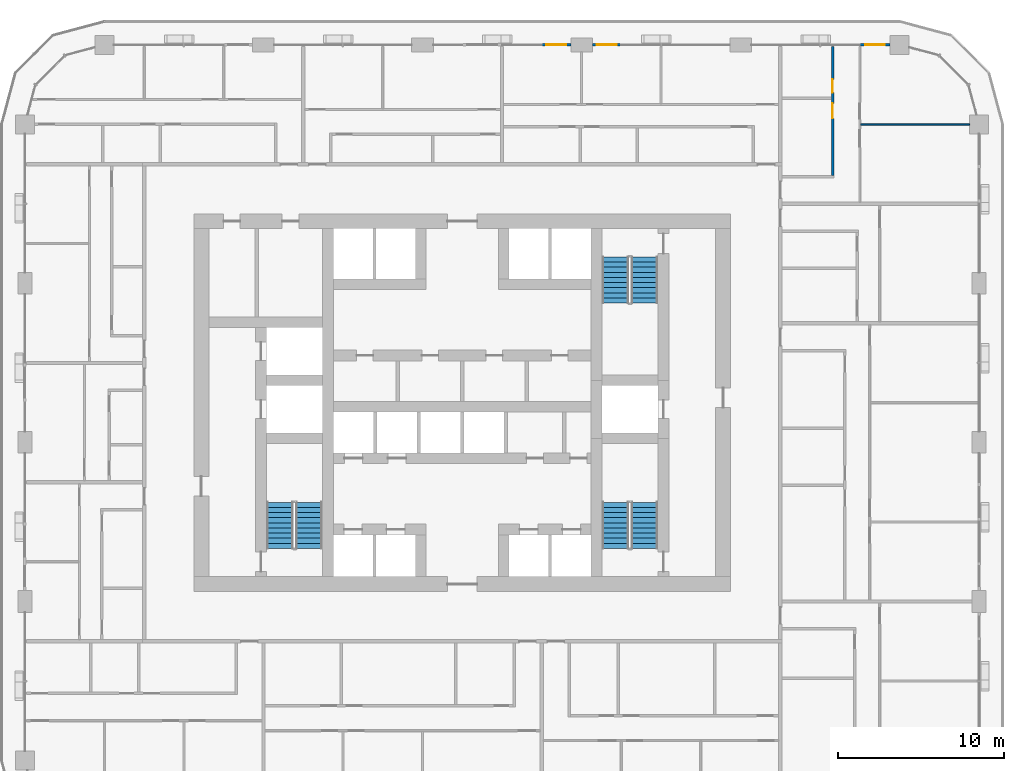
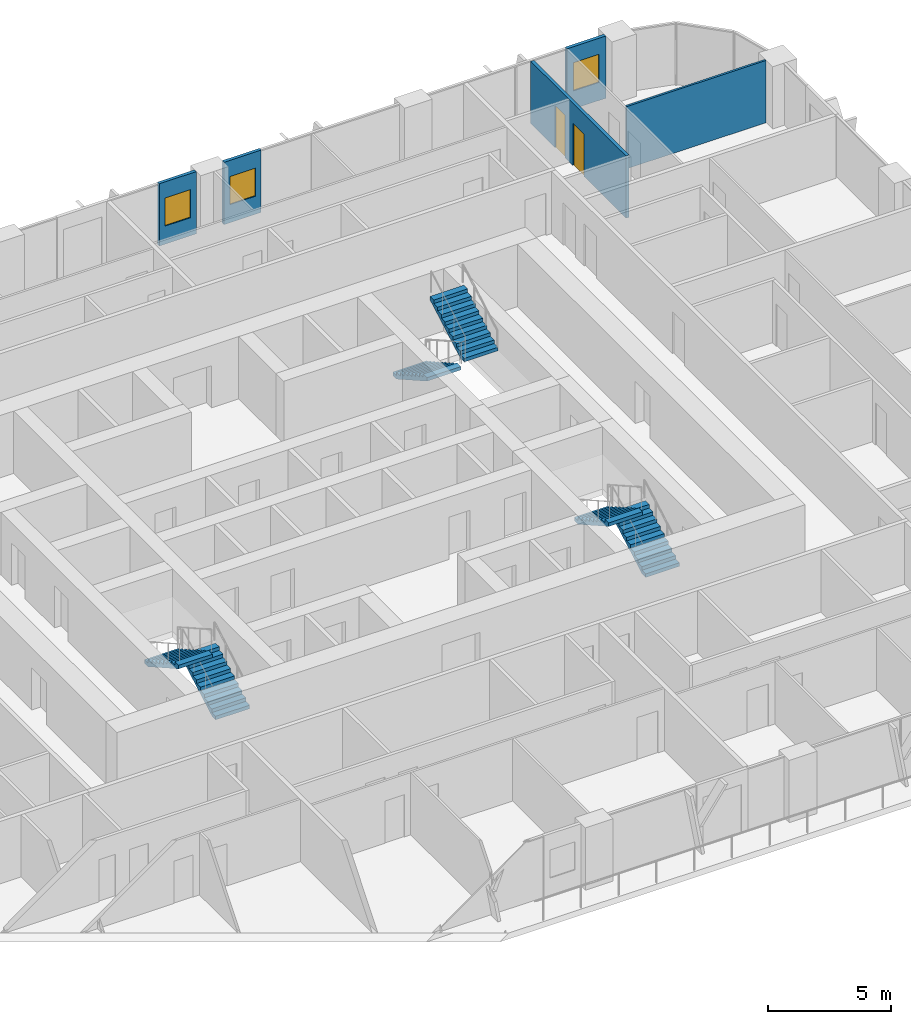
# One storey, part 15 of 21: 6 stair flights, 5 walls, 3 windows, 2 doors, 5 openings, 3 elements without a shape of their own.
"""IFC4 building model written with IfcOpenShell, lengths in metres."""

import ifcopenshell
import ifcopenshell.guid

model = None  # the IFC model being written
_history = None  # IfcOwnerHistory: only IFC2X3 demands one
_inside = {}  # id of a spatial element -> (the spatial element, [elements in it])
_under = {}  # id of a project, library or spatial element -> (it, [spatial elements below it])
_declared = {}  # id of a project -> (the project, [libraries it declares])
_typed = {}  # id of a type object -> (the type object, [elements of that type])
_made_of = {}  # id of a material, layer set ... -> (it, [elements and type objects made of it])


def new_model(schema):
    """Start an empty IFC model of exactly this schema.

    Asked for "IFC4X3", IfcOpenShell would pick the latest addendum, in which some entities
    have other attributes; the version numbers below select the first issue.
    IFC2X3 requires an IfcOwnerHistory on every rooted entity: one is made here for all.
    """
    global model, _history
    if schema == "IFC4X3":
        model = ifcopenshell.file(schema_version=(4, 3, 0, 0))
    else:
        model = ifcopenshell.file(schema=schema)
    _inside.clear()
    _under.clear()
    _declared.clear()
    _typed.clear()
    _made_of.clear()
    _history = None
    if model.schema == "IFC2X3":
        org = make("IfcOrganization", Name="unknown")
        user = make(
            "IfcPersonAndOrganization",
            ThePerson=make("IfcPerson", FamilyName="unknown"),
            TheOrganization=org,
        )
        app = make(
            "IfcApplication",
            ApplicationDeveloper=org,
            Version="unknown",
            ApplicationFullName="unknown",
            ApplicationIdentifier="unknown",
        )
        _history = make(
            "IfcOwnerHistory",
            OwningUser=user,
            OwningApplication=app,
            ChangeAction="ADDED",
            CreationDate=0,
        )
    return model


def make(cls, **values):
    """One entity of the class cls with the attributes given. An attribute that is None is left unset."""
    return model.create_entity(
        cls, **{name: value for name, value in values.items() if value is not None}
    )


def rooted(cls, **values):
    """An entity with a GlobalId (a new one), such as an element, a storey or a relation."""
    return make(cls, GlobalId=ifcopenshell.guid.new(), OwnerHistory=_history, **values)


def si_unit(unit_type, name, prefix=None):
    """IfcSIUnit, for example si_unit("LENGTHUNIT", "METRE", prefix="MILLI")."""
    return make("IfcSIUnit", UnitType=unit_type, Prefix=prefix, Name=name)


def assignment(units):
    """IfcUnitAssignment: the units of a project."""
    return None if units is None else make("IfcUnitAssignment", Units=units)


def point(xyz):
    """IfcCartesianPoint."""
    return None if xyz is None else make("IfcCartesianPoint", Coordinates=xyz)


def direction(xyz):
    """IfcDirection."""
    return None if xyz is None else make("IfcDirection", DirectionRatios=xyz)


def frame(location, z_axis=None, x_axis=None):
    """IfcAxis2Placement3D, a coordinate frame: its origin and axes. An axis left out is left unset."""
    return make(
        "IfcAxis2Placement3D",
        Location=point(location),
        Axis=direction(z_axis),
        RefDirection=direction(x_axis),
    )


def frame_2d(location, x_axis=None):
    """IfcAxis2Placement2D, a coordinate frame in the plane: its origin and x axis."""
    return make(
        "IfcAxis2Placement2D", Location=point(location), RefDirection=direction(x_axis)
    )


def origin():
    """The frame at (0, 0, 0) with its axes left unset."""
    return frame((0.0, 0.0, 0.0))


def place(relative_to, where):
    """IfcLocalPlacement: puts the frame where relative to a parent placement (None: the world)."""
    return make(
        "IfcLocalPlacement", PlacementRelTo=relative_to, RelativePlacement=where
    )


def context(
    kind, dimensions, precision=None, world=None, true_north=None, identifier=None
):
    """IfcGeometricRepresentationContext, for example the 3D "Model" context."""
    return make(
        "IfcGeometricRepresentationContext",
        ContextIdentifier=identifier,
        ContextType=kind,
        CoordinateSpaceDimension=dimensions,
        Precision=precision,
        WorldCoordinateSystem=world,
        TrueNorth=true_north,
    )


def subcontext(parent, identifier, kind, view, scale=None):
    """IfcGeometricRepresentationSubContext, for example "Body" below "Model"."""
    return make(
        "IfcGeometricRepresentationSubContext",
        ContextIdentifier=identifier,
        ContextType=kind,
        ParentContext=parent,
        TargetScale=scale,
        TargetView=view,
    )


def project(units=None, contexts=None):
    """IfcProject with its units and contexts."""
    return rooted(
        "IfcProject",
        Name="project",
        RepresentationContexts=contexts,
        UnitsInContext=assignment(units),
    )


def spatial(cls, under=None, at=None, **own):
    """A site, building, storey or space (cls), placed at a placement, below another one or the project."""
    s = rooted(cls, ObjectPlacement=at, **own)
    if under is not None:
        _under.setdefault(under.id(), (under, []))[1].append(s)
    return s


def polyline(points):
    """IfcPolyline through the points."""
    return make("IfcPolyline", Points=[point(p) for p in points])


def profile(cls, at=None, kind="AREA", **sizes):
    """A parametric profile (cls). Its sizes go by their IFC names, for example OverallWidth=200.0."""
    return make(cls, ProfileType=kind, Position=at, **sizes)


def rectangle(**sizes):
    """IfcRectangleProfileDef."""
    return profile("IfcRectangleProfileDef", **sizes)


def outline(outer, holes=None, kind="AREA"):
    """IfcArbitraryClosedProfileDef: a profile drawn as a closed curve; with holes, ...WithVoids."""
    if holes is None:
        return make("IfcArbitraryClosedProfileDef", ProfileType=kind, OuterCurve=outer)
    return make(
        "IfcArbitraryProfileDefWithVoids",
        ProfileType=kind,
        OuterCurve=outer,
        InnerCurves=holes,
    )


def extrude(swept, where, along, depth):
    """IfcExtrudedAreaSolid: the profile swept, set in the frame where, extruded along a direction by depth."""
    return make(
        "IfcExtrudedAreaSolid",
        SweptArea=swept,
        Position=where,
        ExtrudedDirection=direction(along),
        Depth=depth,
    )


def shape(context_of_items, identifier, shape_type, items):
    """IfcShapeRepresentation: the items that make up one representation, for example the "Body"."""
    return make(
        "IfcShapeRepresentation",
        ContextOfItems=context_of_items,
        RepresentationIdentifier=identifier,
        RepresentationType=shape_type,
        Items=items,
    )


def material(Name=None, Category=None):
    """IfcMaterial."""
    return make("IfcMaterial", Name=Name, Category=Category)


def layer(
    of_material, thickness, ventilated=None, Name=None, Category=None, Priority=None
):
    """IfcMaterialLayer: one layer of a wall or slab, of a material (None: an air gap)."""
    return make(
        "IfcMaterialLayer",
        Material=of_material,
        LayerThickness=thickness,
        IsVentilated=ventilated,
        Name=Name,
        Category=Category,
        Priority=Priority,
    )


def layer_set(layers, Name=None):
    """IfcMaterialLayerSet."""
    return make("IfcMaterialLayerSet", MaterialLayers=layers, LayerSetName=Name)


def made_of(thing, what):
    """Note that an element or type object is made of a material, layer set ...; save() writes the relation."""
    if what is not None:
        _made_of.setdefault(what.id(), (what, []))[1].append(thing)
    return thing


def type_object(cls, material=None, **own):
    """A type object (cls), such as IfcWallType, which elements share."""
    return made_of(rooted(cls, **own), material)


def element(
    cls,
    number,
    at=None,
    inside=None,
    cuts=None,
    type_object=None,
    material=None,
    context=None,
    identifier="Body",
    shape_type=None,
    held_by="IfcProductDefinitionShape",
    body=None,
    shapes=None,
    **own,
):
    """One element of the class cls, such as IfcWall. Its Tag is "e" and its number.

    at: its placement. inside: the storey or other place that contains it. cuts: it is an
    opening in that element (IfcRelVoidsElement). A single representation is given by context,
    identifier, shape_type and body (its items); several are given by shapes. held_by: the class
    of the entity that holds the representations. save() writes the other relations.
    """
    e = rooted(cls, Tag="e%d" % number, ObjectPlacement=at, **own)
    if body is not None:
        shapes = [shape(context, identifier, shape_type, body)]
    if shapes is not None:
        e.Representation = make(held_by, Representations=shapes)
    if inside is not None:
        _inside.setdefault(inside.id(), (inside, []))[1].append(e)
    if cuts is not None:
        rooted(
            "IfcRelVoidsElement", RelatingBuildingElement=cuts, RelatedOpeningElement=e
        )
    if type_object is not None:
        _typed.setdefault(type_object.id(), (type_object, []))[1].append(e)
    return made_of(e, material)


def fill(opening, filler):
    """IfcRelFillsElement: the door or window that sits in an opening."""
    return rooted(
        "IfcRelFillsElement",
        RelatingOpeningElement=opening,
        RelatedBuildingElement=filler,
    )


def aggregate(whole, parts):
    """IfcRelAggregates: a whole, such as a stair, and the parts it consists of."""
    return rooted("IfcRelAggregates", RelatingObject=whole, RelatedObjects=parts)


def save(model, path):
    """Write the relations noted so far, then the file.

    IfcRelAggregates (storeys below a building ...), IfcRelContainedInSpatialStructure (elements
    in a storey), IfcRelDefinesByType, IfcRelAssociatesMaterial and IfcRelDeclares: one each for
    every whole, place, type object, material and project.
    """
    for whole, parts in _under.values():
        aggregate(whole, parts)
    for where, things in _inside.values():
        rooted(
            "IfcRelContainedInSpatialStructure",
            RelatedElements=things,
            RelatingStructure=where,
        )
    for kind, things in _typed.values():
        rooted("IfcRelDefinesByType", RelatedObjects=things, RelatingType=kind)
    for what, things in _made_of.values():
        rooted("IfcRelAssociatesMaterial", RelatedObjects=things, RelatingMaterial=what)
    for by, libraries in _declared.values():
        rooted("IfcRelDeclares", RelatingContext=by, RelatedDefinitions=libraries)
    model.write(path)


model = new_model("IFC4")

# Units and contexts
model_context = context("Model", 3, precision=1e-05, world=origin(), true_north=direction((0.0, 1.0)))
body_context = subcontext(model_context, "Body", "Model", "MODEL_VIEW")
ifc_project = project(units=[si_unit("LENGTHUNIT", "METRE"), si_unit("AREAUNIT", "SQUARE_METRE"), si_unit("VOLUMEUNIT", "CUBIC_METRE"), si_unit("PLANEANGLEUNIT", "RADIAN"), si_unit("MASSUNIT", "GRAM", prefix="KILO")], contexts=[model_context])

# Site, building, storey
site_placement = place(None, origin())
site = spatial("IfcSite", under=ifc_project, at=site_placement, CompositionType="ELEMENT")
building_placement = place(site_placement, origin())
building = spatial("IfcBuilding", under=site, at=building_placement, Name="Madar Terraces", CompositionType="ELEMENT")
storey_placement = place(building_placement, frame((0.0, 0.0, 80.300048828125)))
storey = spatial("IfcBuildingStorey", under=building, at=storey_placement, Name="L20", CompositionType="ELEMENT", Elevation=80.300048828125)

# Wall, opening, window
ifc_material_1 = material(Name="Aluminium composite panel, black, over insulated backing", Category="aluminium")
ifc_layer_1 = layer(ifc_material_1, 0.14990234375)
ifc_layer_set_1 = layer_set([ifc_layer_1], Name="Facade bay panel 150")
wall_type_1 = type_object("IfcWallType", Name="Facade bay panel 150", PredefinedType="SOLIDWALL", material=ifc_layer_set_1)
wall_1_placement = place(storey_placement, frame((57.02490234375, 48.0, 0.0), z_axis=(0.0, 0.0, 1.0), x_axis=(-1.0, 0.0, 0.0)))
wall_1 = element("IfcWall", 1, at=wall_1_placement, inside=storey, type_object=wall_type_1, Name="Facade bay panel", PredefinedType="SOLIDWALL", context=body_context, shape_type="SweptSolid", body=[
    extrude(rectangle(XDim=1.824951171875, YDim=0.14990234375, at=frame_2d((0.91259765625, 0.0))), origin(), (0.0, 0.0, 1.0), 3.099853515625),
])
opening_1_placement = place(wall_1_placement, frame((0.3125, 0.0, 0.89990234375)))
opening_1 = element("IfcOpeningElement", 2, at=opening_1_placement, cuts=wall_1, Name="Opening W1", PredefinedType="OPENING", context=body_context, shape_type="SweptSolid", body=[
    extrude(rectangle(XDim=1.199951171875, YDim=1.39990234375, at=frame_2d((0.60009765625, 0.699951171875))), frame((0.0, 0.0849609375, 0.0), z_axis=(0.0, -1.0, 0.0), x_axis=(1.0, 0.0, 0.0)), (0.0, 0.0, 1.0), 0.169921875),
])
ifc_material_2 = material(Name="Glass, clear, with black aluminium frame", Category="aluminium")
window_type = type_object("IfcWindowType", Name="Vent window 1200 x 1400", PartitioningType="SINGLE_PANEL", PredefinedType="WINDOW", material=ifc_material_2)
window_1_placement = place(opening_1_placement, origin())
window_1 = element("IfcWindow", 3, at=window_1_placement, inside=storey, type_object=window_type, Name="Operable vent window", OverallHeight=1.39990234375, OverallWidth=1.199951171875, PartitioningType="SINGLE_PANEL", PredefinedType="WINDOW", context=body_context, shape_type="SweptSolid", body=[
    extrude(rectangle(XDim=1.199951171875, YDim=1.39990234375, at=frame_2d((0.60009765625, 0.699951171875))), frame((0.0, 0.030029296875, 0.0), z_axis=(0.0, -1.0, 0.0), x_axis=(1.0, 0.0, 0.0)), (0.0, 0.0, 1.0), 0.06005859375),
])
fill(opening_1, window_1)

wall_2_placement = place(storey_placement, frame((40.800048828125, 48.0, 0.0), z_axis=(0.0, 0.0, 1.0), x_axis=(-1.0, 0.0, 0.0)))
wall_2 = element("IfcWall", 4, at=wall_2_placement, inside=storey, type_object=wall_type_1, Name="Facade bay panel", PredefinedType="SOLIDWALL", context=body_context, shape_type="SweptSolid", body=[
    extrude(rectangle(XDim=1.75, YDim=0.14990234375, at=frame_2d((0.875, 0.0))), origin(), (0.0, 0.0, 1.0), 3.099853515625),
])
opening_2_placement = place(wall_2_placement, frame((0.27490234375, 0.0, 0.89990234375)))
opening_2 = element("IfcOpeningElement", 5, at=opening_2_placement, cuts=wall_2, Name="Opening W1", PredefinedType="OPENING", context=body_context, shape_type="SweptSolid", body=[
    extrude(rectangle(XDim=1.199951171875, YDim=1.39990234375, at=frame_2d((0.60009765625, 0.699951171875))), frame((0.0, 0.0849609375, 0.0), z_axis=(0.0, -1.0, 0.0), x_axis=(1.0, 0.0, 0.0)), (0.0, 0.0, 1.0), 0.169921875),
])
window_2_placement = place(opening_2_placement, origin())
window_2 = element("IfcWindow", 6, at=window_2_placement, inside=storey, type_object=window_type, Name="Operable vent window", OverallHeight=1.39990234375, OverallWidth=1.199951171875, PartitioningType="SINGLE_PANEL", PredefinedType="WINDOW", context=body_context, shape_type="SweptSolid", body=[
    extrude(rectangle(XDim=1.199951171875, YDim=1.39990234375, at=frame_2d((0.60009765625, 0.699951171875))), frame((0.0, 0.030029296875, 0.0), z_axis=(0.0, -1.0, 0.0), x_axis=(1.0, 0.0, 0.0)), (0.0, 0.0, 1.0), 0.06005859375),
])
fill(opening_2, window_2)

wall_3_placement = place(storey_placement, frame((37.75, 48.0, 0.0), z_axis=(0.0, 0.0, 1.0), x_axis=(-1.0, 0.0, 0.0)))
wall_3 = element("IfcWall", 7, at=wall_3_placement, inside=storey, type_object=wall_type_1, Name="Facade bay panel", PredefinedType="SOLIDWALL", context=body_context, shape_type="SweptSolid", body=[
    extrude(rectangle(XDim=1.75, YDim=0.14990234375, at=frame_2d((0.875, 0.0))), origin(), (0.0, 0.0, 1.0), 3.099853515625),
])
opening_3_placement = place(wall_3_placement, frame((0.27490234375, 0.0, 0.89990234375)))
opening_3 = element("IfcOpeningElement", 8, at=opening_3_placement, cuts=wall_3, Name="Opening W1", PredefinedType="OPENING", context=body_context, shape_type="SweptSolid", body=[
    extrude(rectangle(XDim=1.199951171875, YDim=1.39990234375, at=frame_2d((0.60009765625, 0.699951171875))), frame((0.0, 0.0849609375, 0.0), z_axis=(0.0, -1.0, 0.0), x_axis=(1.0, 0.0, 0.0)), (0.0, 0.0, 1.0), 0.169921875),
])
window_3_placement = place(opening_3_placement, origin())
window_3 = element("IfcWindow", 9, at=window_3_placement, inside=storey, type_object=window_type, Name="Operable vent window", OverallHeight=1.39990234375, OverallWidth=1.199951171875, PartitioningType="SINGLE_PANEL", PredefinedType="WINDOW", context=body_context, shape_type="SweptSolid", body=[
    extrude(rectangle(XDim=1.199951171875, YDim=1.39990234375, at=frame_2d((0.60009765625, 0.699951171875))), frame((0.0, 0.030029296875, 0.0), z_axis=(0.0, -1.0, 0.0), x_axis=(1.0, 0.0, 0.0)), (0.0, 0.0, 1.0), 0.06005859375),
])
fill(opening_3, window_3)

# Wall
ifc_material_3 = material(Name="Gypsum board on steel studs", Category="steel")
ifc_layer_2 = layer(ifc_material_3, 0.10009765625)
ifc_layer_set_2 = layer_set([ifc_layer_2], Name="Flat partition 100")
wall_type_2 = type_object("IfcWallType", Name="Flat partition 100", PredefinedType="PARTITIONING", material=ifc_layer_set_2)
wall_4_placement = place(storey_placement, frame((55.25, 43.199951171875, 0.0), z_axis=(0.0, 0.0, 1.0), x_axis=(1.0, 0.0, 0.0)))
element("IfcWall", 10, at=wall_4_placement, inside=storey, type_object=wall_type_2, Name="Flat partition 100", PredefinedType="PARTITIONING", context=body_context, shape_type="SweptSolid", body=[
    extrude(rectangle(XDim=6.574951171875, YDim=0.10009765625, at=frame_2d((3.28759765625, 0.0))), origin(), (0.0, 0.0, 1.0), 3.099853515625),
])

# Wall, openings, doors
ifc_material_4 = material(Name="Lightweight blockwork", Category="masonry")
ifc_layer_3 = layer(ifc_material_4, 0.14990234375)
ifc_layer_set_3 = layer_set([ifc_layer_3], Name="Flat wet-room partition 150")
wall_type_3 = type_object("IfcWallType", Name="Flat wet-room partition 150", PredefinedType="PARTITIONING", material=ifc_layer_set_3)
wall_5_placement = place(storey_placement, frame((53.550048828125, 40.125, 0.0), z_axis=(0.0, 0.0, 1.0), x_axis=(0.0, 1.0, 0.0)))
wall_5 = element("IfcWall", 11, at=wall_5_placement, inside=storey, type_object=wall_type_3, Name="Flat wet-room partition 150", PredefinedType="PARTITIONING", context=body_context, shape_type="SweptSolid", body=[
    extrude(rectangle(XDim=7.77490234375, YDim=0.14990234375, at=frame_2d((3.887451171875, 0.0))), origin(), (0.0, 0.0, 1.0), 3.099853515625),
])
opening_4_placement = place(wall_5_placement, frame((3.43994140625, 0.0, 0.0)))
opening_4 = element("IfcOpeningElement", 12, at=opening_4_placement, cuts=wall_5, Name="Opening D2", PredefinedType="OPENING", context=body_context, shape_type="SweptSolid", body=[
    extrude(rectangle(XDim=0.89990234375, YDim=2.10009765625, at=frame_2d((0.449951171875, 1.050048828125))), frame((0.0, 0.0849609375, 0.0), z_axis=(0.0, -1.0, 0.0), x_axis=(1.0, 0.0, 0.0)), (0.0, 0.0, 1.0), 0.169921875),
])
opening_5_placement = place(wall_5_placement, frame((4.989990234375, 0.0, 0.0)))
opening_5 = element("IfcOpeningElement", 13, at=opening_5_placement, cuts=wall_5, Name="Opening D4", PredefinedType="OPENING", context=body_context, shape_type="SweptSolid", body=[
    extrude(rectangle(XDim=0.800048828125, YDim=2.10009765625, at=frame_2d((0.39990234375, 1.050048828125))), frame((0.0, 0.0849609375, 0.0), z_axis=(0.0, -1.0, 0.0), x_axis=(1.0, 0.0, 0.0)), (0.0, 0.0, 1.0), 0.169921875),
])
ifc_material_5 = material(Name="Timber door leaf", Category="wood")
door_type_1 = type_object("IfcDoorType", Name="Flat bathroom door 800", OperationType="NOTDEFINED", PredefinedType="DOOR", material=ifc_material_5)
door_1_placement = place(opening_5_placement, origin())
door_1 = element("IfcDoor", 14, at=door_1_placement, inside=storey, type_object=door_type_1, Name="Flat bathroom door 800", OperationType="SINGLE_SWING_LEFT", OverallHeight=2.10009765625, OverallWidth=0.800048828125, PredefinedType="DOOR", context=body_context, shape_type="SweptSolid", body=[
    extrude(rectangle(XDim=0.800048828125, YDim=2.10009765625, at=frame_2d((0.39990234375, 1.050048828125))), frame((0.0, 0.02490234375, 0.0), z_axis=(0.0, -1.0, 0.0), x_axis=(1.0, 0.0, 0.0)), (0.0, 0.0, 1.0), 0.050048828125),
])
fill(opening_5, door_1)
ifc_material_6 = material(Name="Timber door leaf", Category="wood")
door_type_2 = type_object("IfcDoorType", Name="Flat room door 900", OperationType="NOTDEFINED", PredefinedType="DOOR", material=ifc_material_6)
door_2_placement = place(opening_4_placement, origin())
door_2 = element("IfcDoor", 15, at=door_2_placement, inside=storey, type_object=door_type_2, Name="Flat room door 900", OperationType="SINGLE_SWING_RIGHT", OverallHeight=2.10009765625, OverallWidth=0.89990234375, PredefinedType="DOOR", context=body_context, shape_type="SweptSolid", body=[
    extrude(rectangle(XDim=0.89990234375, YDim=2.10009765625, at=frame_2d((0.449951171875, 1.050048828125))), frame((0.0, 0.02490234375, 0.0), z_axis=(0.0, -1.0, 0.0), x_axis=(1.0, 0.0, 0.0)), (0.0, 0.0, 1.0), 0.050048828125),
])
fill(opening_4, door_2)

# Stair, stair flights
ifc_material_7 = material(Name="Concrete C50/60", Category="concrete")
stair_type_1 = type_object("IfcStairType", Name="Stair ST1 protected exit", PredefinedType="HALF_TURN_STAIR", material=ifc_material_7)
stair_1_placement = place(storey_placement, origin())
stair_1 = element("IfcStair", 16, at=stair_1_placement, inside=storey, type_object=stair_type_1, Name="L20 Protected Exit Stair ST1", PredefinedType="HALF_TURN_STAIR")
ifc_material_8 = material(Name="Concrete C50/60", Category="concrete")
stair_flight_type_1 = type_object("IfcStairFlightType", Name="Stair flight ST1-F4, 1600 wide, 10 risers", PredefinedType="STRAIGHT", material=ifc_material_8)
stair_flight_1_placement = place(storey_placement, frame((21.949951171875, 17.60009765625, 0.0), z_axis=(0.0, 0.0, 1.0), x_axis=(0.0, 1.0, 0.0)))
stair_flight_1 = element("IfcStairFlight", 17, at=stair_flight_1_placement, type_object=stair_flight_type_1, Name="ST1 flight 1", NumberOfRisers=10, NumberOfTreads=9, PredefinedType="STRAIGHT", RiserHeight=0.175, TreadLength=0.31, context=body_context, shape_type="SweptSolid", body=[
    extrude(outline(polyline([(0.0, 0.0), (0.0, 0.175048828125), (0.31005859375, 0.175048828125), (0.31005859375, 0.35009765625), (0.6201171875, 0.35009765625), (0.6201171875, 0.52490234375), (0.929931640625, 0.52490234375), (0.929931640625, 0.699951171875), (1.239990234375, 0.699951171875), (1.239990234375, 0.875), (1.550048828125, 0.875), (1.550048828125, 1.050048828125), (1.860107421875, 1.050048828125), (1.860107421875, 1.22509765625), (2.169921875, 1.22509765625), (2.169921875, 1.39990234375), (2.47998046875, 1.39990234375), (2.47998046875, 1.574951171875), (2.7900390625, 1.574951171875), (2.7900390625, 1.75), (2.7900390625, 1.40283203125), (0.304931640625, 0.0), (0.0, 0.0)])), frame((0.0, 0.800048828125, 0.0), z_axis=(0.0, -1.0, 0.0), x_axis=(1.0, 0.0, 0.0)), (0.0, 0.0, 1.0), 1.60009765625),
])
stair_flight_2_placement = place(storey_placement, frame((20.199951171875, 20.389892578125, 1.75), z_axis=(0.0, 0.0, 1.0), x_axis=(0.0, -1.0, 0.0)))
stair_flight_2 = element("IfcStairFlight", 18, at=stair_flight_2_placement, type_object=stair_flight_type_1, Name="ST1 flight 2", NumberOfRisers=10, NumberOfTreads=9, PredefinedType="STRAIGHT", RiserHeight=0.175, TreadLength=0.31, context=body_context, shape_type="SweptSolid", body=[
    extrude(outline(polyline([(0.0, 0.0), (0.0, 0.175048828125), (0.31005859375, 0.175048828125), (0.31005859375, 0.35009765625), (0.6201171875, 0.35009765625), (0.6201171875, 0.52490234375), (0.929931640625, 0.52490234375), (0.929931640625, 0.699951171875), (1.239990234375, 0.699951171875), (1.239990234375, 0.875), (1.550048828125, 0.875), (1.550048828125, 1.050048828125), (1.860107421875, 1.050048828125), (1.860107421875, 1.22509765625), (2.169921875, 1.22509765625), (2.169921875, 1.39990234375), (2.47998046875, 1.39990234375), (2.47998046875, 1.574951171875), (2.7900390625, 1.574951171875), (2.7900390625, 1.75), (2.7900390625, 1.40283203125), (0.304931640625, 0.0), (0.0, 0.0)])), frame((0.0, 0.800048828125, 0.0), z_axis=(0.0, -1.0, 0.0), x_axis=(1.0, 0.0, 0.0)), (0.0, 0.0, 1.0), 1.60009765625),
])
aggregate(stair_1, [stair_flight_1, stair_flight_2])

ifc_material_9 = material(Name="Concrete C50/60", Category="concrete")
stair_type_2 = type_object("IfcStairType", Name="Stair ST2 protected exit", PredefinedType="HALF_TURN_STAIR", material=ifc_material_9)
stair_2_placement = place(storey_placement, origin())
stair_2 = element("IfcStair", 19, at=stair_2_placement, inside=storey, type_object=stair_type_2, Name="L20 Protected Exit Stair ST2", PredefinedType="HALF_TURN_STAIR")
ifc_material_10 = material(Name="Concrete C50/60", Category="concrete")
stair_flight_type_2 = type_object("IfcStairFlightType", Name="Stair flight ST2-F4, 1600 wide, 10 risers", PredefinedType="STRAIGHT", material=ifc_material_10)
stair_flight_3_placement = place(storey_placement, frame((40.449951171875, 35.199951171875, 0.0), z_axis=(0.0, 0.0, 1.0), x_axis=(0.0, -1.0, 0.0)))
stair_flight_3 = element("IfcStairFlight", 20, at=stair_flight_3_placement, type_object=stair_flight_type_2, Name="ST2 flight 1", NumberOfRisers=10, NumberOfTreads=9, PredefinedType="STRAIGHT", RiserHeight=0.175, TreadLength=0.31, context=body_context, shape_type="SweptSolid", body=[
    extrude(outline(polyline([(0.0, 0.0), (0.0, 0.175048828125), (0.31005859375, 0.175048828125), (0.31005859375, 0.35009765625), (0.6201171875, 0.35009765625), (0.6201171875, 0.52490234375), (0.929931640625, 0.52490234375), (0.929931640625, 0.699951171875), (1.239990234375, 0.699951171875), (1.239990234375, 0.875), (1.550048828125, 0.875), (1.550048828125, 1.050048828125), (1.860107421875, 1.050048828125), (1.860107421875, 1.22509765625), (2.169921875, 1.22509765625), (2.169921875, 1.39990234375), (2.47998046875, 1.39990234375), (2.47998046875, 1.574951171875), (2.7900390625, 1.574951171875), (2.7900390625, 1.75), (2.7900390625, 1.40283203125), (0.304931640625, 0.0), (0.0, 0.0)])), frame((0.0, 0.800048828125, 0.0), z_axis=(0.0, -1.0, 0.0), x_axis=(1.0, 0.0, 0.0)), (0.0, 0.0, 1.0), 1.60009765625),
])
stair_flight_4_placement = place(storey_placement, frame((42.199951171875, 32.409912109375, 1.75), z_axis=(0.0, 0.0, 1.0), x_axis=(0.0, 1.0, 0.0)))
stair_flight_4 = element("IfcStairFlight", 21, at=stair_flight_4_placement, type_object=stair_flight_type_2, Name="ST2 flight 2", NumberOfRisers=10, NumberOfTreads=9, PredefinedType="STRAIGHT", RiserHeight=0.175, TreadLength=0.31, context=body_context, shape_type="SweptSolid", body=[
    extrude(outline(polyline([(0.0, 0.0), (0.0, 0.175048828125), (0.31005859375, 0.175048828125), (0.31005859375, 0.35009765625), (0.6201171875, 0.35009765625), (0.6201171875, 0.52490234375), (0.929931640625, 0.52490234375), (0.929931640625, 0.699951171875), (1.239990234375, 0.699951171875), (1.239990234375, 0.875), (1.550048828125, 0.875), (1.550048828125, 1.050048828125), (1.860107421875, 1.050048828125), (1.860107421875, 1.22509765625), (2.169921875, 1.22509765625), (2.169921875, 1.39990234375), (2.47998046875, 1.39990234375), (2.47998046875, 1.574951171875), (2.7900390625, 1.574951171875), (2.7900390625, 1.75), (2.7900390625, 1.40283203125), (0.304931640625, 0.0), (0.0, 0.0)])), frame((0.0, 0.800048828125, 0.0), z_axis=(0.0, -1.0, 0.0), x_axis=(1.0, 0.0, 0.0)), (0.0, 0.0, 1.0), 1.60009765625),
])
aggregate(stair_2, [stair_flight_3, stair_flight_4])

ifc_material_11 = material(Name="Concrete C50/60", Category="concrete")
stair_type_3 = type_object("IfcStairType", Name="Stair ST3 protected exit", PredefinedType="HALF_TURN_STAIR", material=ifc_material_11)
stair_3_placement = place(storey_placement, origin())
stair_3 = element("IfcStair", 22, at=stair_3_placement, inside=storey, type_object=stair_type_3, Name="L20 Protected Exit Stair ST3", PredefinedType="HALF_TURN_STAIR")
ifc_material_12 = material(Name="Concrete C50/60", Category="concrete")
stair_flight_type_3 = type_object("IfcStairFlightType", Name="Stair flight ST3-F4, 1600 wide, 10 risers", PredefinedType="STRAIGHT", material=ifc_material_12)
stair_flight_5_placement = place(storey_placement, frame((42.199951171875, 17.60009765625, 0.0), z_axis=(0.0, 0.0, 1.0), x_axis=(0.0, 1.0, 0.0)))
stair_flight_5 = element("IfcStairFlight", 23, at=stair_flight_5_placement, type_object=stair_flight_type_3, Name="ST3 flight 1", NumberOfRisers=10, NumberOfTreads=9, PredefinedType="STRAIGHT", RiserHeight=0.175, TreadLength=0.31, context=body_context, shape_type="SweptSolid", body=[
    extrude(outline(polyline([(0.0, 0.0), (0.0, 0.175048828125), (0.31005859375, 0.175048828125), (0.31005859375, 0.35009765625), (0.6201171875, 0.35009765625), (0.6201171875, 0.52490234375), (0.929931640625, 0.52490234375), (0.929931640625, 0.699951171875), (1.239990234375, 0.699951171875), (1.239990234375, 0.875), (1.550048828125, 0.875), (1.550048828125, 1.050048828125), (1.860107421875, 1.050048828125), (1.860107421875, 1.22509765625), (2.169921875, 1.22509765625), (2.169921875, 1.39990234375), (2.47998046875, 1.39990234375), (2.47998046875, 1.574951171875), (2.7900390625, 1.574951171875), (2.7900390625, 1.75), (2.7900390625, 1.40283203125), (0.304931640625, 0.0), (0.0, 0.0)])), frame((0.0, 0.800048828125, 0.0), z_axis=(0.0, -1.0, 0.0), x_axis=(1.0, 0.0, 0.0)), (0.0, 0.0, 1.0), 1.60009765625),
])
stair_flight_6_placement = place(storey_placement, frame((40.449951171875, 20.389892578125, 1.75), z_axis=(0.0, 0.0, 1.0), x_axis=(0.0, -1.0, 0.0)))
stair_flight_6 = element("IfcStairFlight", 24, at=stair_flight_6_placement, type_object=stair_flight_type_3, Name="ST3 flight 2", NumberOfRisers=10, NumberOfTreads=9, PredefinedType="STRAIGHT", RiserHeight=0.175, TreadLength=0.31, context=body_context, shape_type="SweptSolid", body=[
    extrude(outline(polyline([(0.0, 0.0), (0.0, 0.175048828125), (0.31005859375, 0.175048828125), (0.31005859375, 0.35009765625), (0.6201171875, 0.35009765625), (0.6201171875, 0.52490234375), (0.929931640625, 0.52490234375), (0.929931640625, 0.699951171875), (1.239990234375, 0.699951171875), (1.239990234375, 0.875), (1.550048828125, 0.875), (1.550048828125, 1.050048828125), (1.860107421875, 1.050048828125), (1.860107421875, 1.22509765625), (2.169921875, 1.22509765625), (2.169921875, 1.39990234375), (2.47998046875, 1.39990234375), (2.47998046875, 1.574951171875), (2.7900390625, 1.574951171875), (2.7900390625, 1.75), (2.7900390625, 1.40283203125), (0.304931640625, 0.0), (0.0, 0.0)])), frame((0.0, 0.800048828125, 0.0), z_axis=(0.0, -1.0, 0.0), x_axis=(1.0, 0.0, 0.0)), (0.0, 0.0, 1.0), 1.60009765625),
])
aggregate(stair_3, [stair_flight_5, stair_flight_6])

save(model, "model.ifc")
